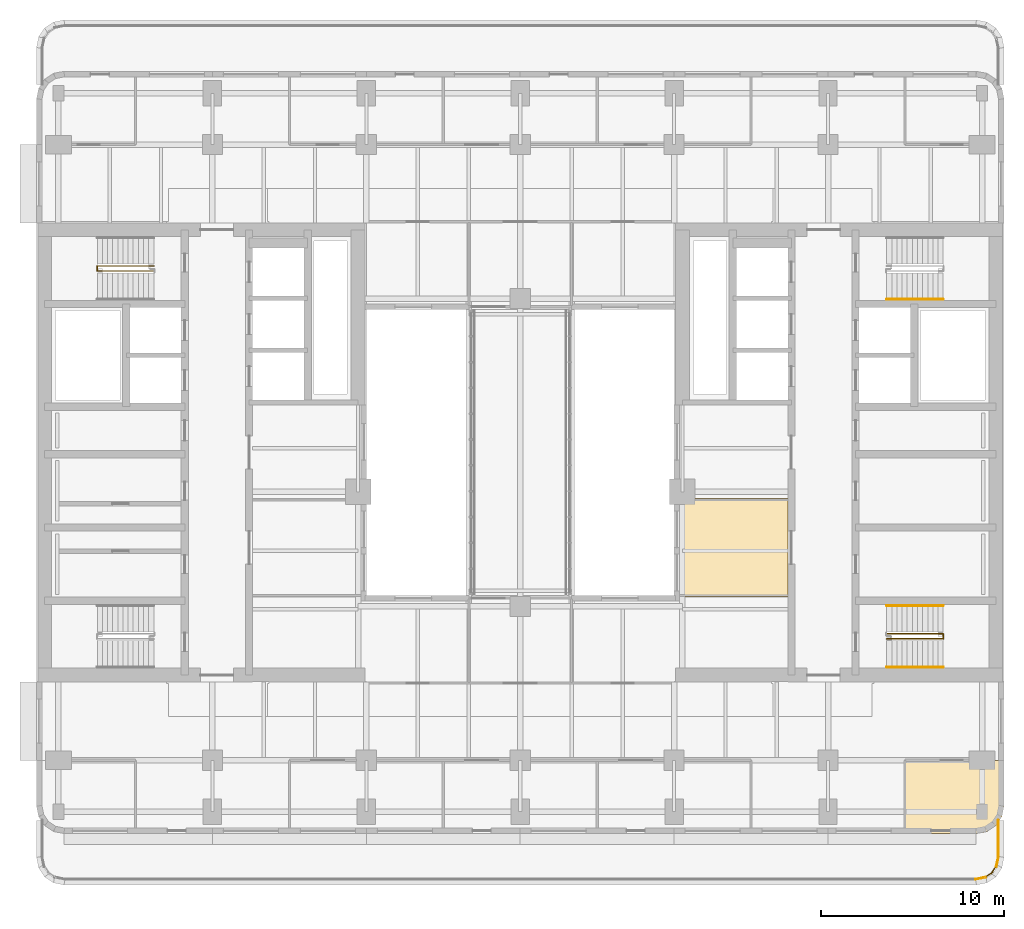
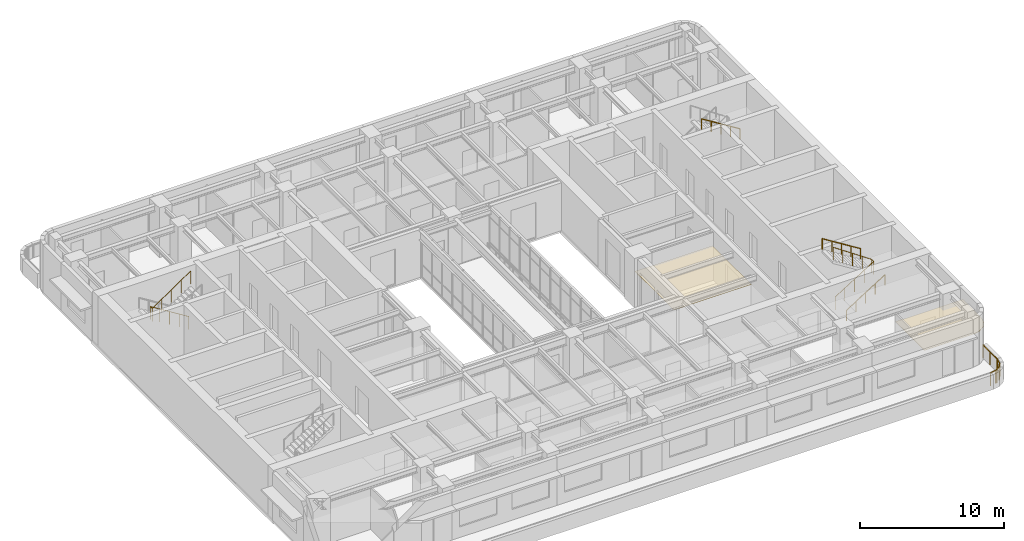
# One storey, part 14 of 15: 10 railings, 2 coverings.
"""IFC4 building model written with IfcOpenShell, lengths in metres."""

from ifc_helpers import new_model, si_unit, direction, frame, origin, origin_2d, place, context, subcontext, project, spatial, polyline, circle, outline, extrude, material, layer, layer_set, type_object, element, save


model = new_model("IFC4")

# Units and contexts
model_context = context("Model", 3, precision=1e-05, world=origin(), true_north=direction((0.0, 1.0)))
body_context = subcontext(model_context, "Body", "Model", "MODEL_VIEW")
ifc_project = project(units=[si_unit("LENGTHUNIT", "METRE"), si_unit("AREAUNIT", "SQUARE_METRE"), si_unit("VOLUMEUNIT", "CUBIC_METRE"), si_unit("PLANEANGLEUNIT", "RADIAN"), si_unit("MASSUNIT", "GRAM", prefix="KILO")], contexts=[model_context])

# Site, building, storey
site_placement = place(None, origin())
site = spatial("IfcSite", under=ifc_project, at=site_placement, CompositionType="ELEMENT")
building_placement = place(site_placement, origin())
building = spatial("IfcBuilding", under=site, at=building_placement, Name="Claustro Exchange Tower", CompositionType="ELEMENT")
storey_placement = place(building_placement, frame((0.0, 0.0, 173.39990234375)))
storey = spatial("IfcBuildingStorey", under=building, at=storey_placement, Name="L39", CompositionType="ELEMENT", Elevation=173.39990234375)

# Coverings
ifc_material_1 = material(Name="Gypsum board ceiling", Category="gypsum board")
ifc_layer = layer(ifc_material_1, 0.02490234375)
ifc_layer_set = layer_set([ifc_layer], Name="Gypsum board ceiling")
covering_type = type_object("IfcCoveringType", Name="CL2 plasterboard ceiling", PredefinedType="CEILING", material=ifc_layer_set)
covering_1_placement = place(storey_placement, frame((0.0, 0.0, 2.800048828125)))
element("IfcCovering", 1, at=covering_1_placement, inside=storey, type_object=covering_type, Name="Ceiling CL2 L39-06", PredefinedType="CEILING", context=body_context, shape_type="SweptSolid", body=[
    extrude(outline(polyline([(51.60009765625, 5.89990234375), (51.60009765625, 8.39990234375), (46.199951171875, 8.39990234375), (46.199951171875, 4.39990234375), (50.10009765625, 4.39990234375), (50.674072265625, 4.51416015625), (51.16064453125, 4.83935546875), (51.48583984375, 5.325927734375), (51.60009765625, 5.89990234375)])), origin(), (0.0, 0.0, 1.0), 0.025146484375),
])
covering_2_placement = place(storey_placement, frame((0.0, 0.0, 2.800048828125)))
element("IfcCovering", 2, at=covering_2_placement, inside=storey, type_object=covering_type, Name="Ceiling CL2 L39-15", PredefinedType="CEILING", context=body_context, shape_type="SweptSolid", body=[
    extrude(outline(polyline([(33.60009765625, 22.695068359375), (33.60009765625, 17.304931640625), (39.800048828125, 17.304931640625), (39.800048828125, 22.695068359375), (33.60009765625, 22.695068359375)])), origin(), (0.0, 0.0, 1.0), 0.025146484375),
])

# Railings
ifc_material_2 = material(Name="Steel balustrade, painted", Category="steel")
railing_type_1 = type_object("IfcRailingType", Name="GR2 1100 steel stair guard", PredefinedType="GUARDRAIL", material=ifc_material_2)
railing_1_placement = place(storey_placement, frame((5.199951171875, 35.375, 0.175048828125)))
element("IfcRailing", 3, at=railing_1_placement, inside=storey, type_object=railing_type_1, Name="Stair well guard GR2 stair STWB L39", PredefinedType="GUARDRAIL", context=body_context, shape_type="SweptSolid", body=[
    extrude(circle(Radius=0.02392578125, at=origin_2d()), frame((0.0, 0.0, 1.076171875), z_axis=(-0.847979421464, 0.0, 0.530029150871), x_axis=(0.0, -1.0, 0.0)), (0.0, 0.0, 1.0), 3.632080078125),
    extrude(circle(Radius=0.02392578125, at=origin_2d()), frame((-3.079833984375, 0.0, 3.0009765625), z_axis=(0.0, -1.0, 0.0), x_axis=(1.0, 0.0, 0.0)), (0.0, 0.0, 1.0), 0.27490234375),
    extrude(circle(Radius=0.02392578125, at=origin_2d()), frame((-3.079833984375, -0.27490234375, 3.0009765625), z_axis=(0.826201015165, 0.0, 0.563375436579), x_axis=(0.0, 1.0, 0.0)), (0.0, 0.0, 1.0), 3.727783203125),
    extrude(circle(Radius=0.02099609375, at=origin_2d()), origin(), (0.0, 0.0, 1.0), 1.052001953125),
    extrude(circle(Radius=0.02099609375, at=origin_2d()), frame((-0.77001953125, 0.0, 0.481201171875)), (0.0, 0.0, 1.0), 1.052001953125),
    extrude(circle(Radius=0.02099609375, at=origin_2d()), frame((-1.5400390625, 0.0, 0.96240234375)), (0.0, 0.0, 1.0), 1.052001953125),
    extrude(circle(Radius=0.02099609375, at=origin_2d()), frame((-2.309814453125, 0.0, 1.44384765625)), (0.0, 0.0, 1.0), 1.052001953125),
    extrude(circle(Radius=0.02099609375, at=origin_2d()), frame((-3.079833984375, 0.0, 1.925048828125)), (0.0, 0.0, 1.0), 1.052001953125),
    extrude(circle(Radius=0.02099609375, at=origin_2d()), frame((-3.079833984375, -0.27490234375, 1.925048828125)), (0.0, 0.0, 1.0), 1.052001953125),
    extrude(circle(Radius=0.02099609375, at=origin_2d()), frame((-2.309814453125, -0.27490234375, 2.4501953125)), (0.0, 0.0, 1.0), 1.052001953125),
    extrude(circle(Radius=0.02099609375, at=origin_2d()), frame((-1.5400390625, -0.27490234375, 2.97509765625)), (0.0, 0.0, 1.0), 1.052001953125),
    extrude(circle(Radius=0.02099609375, at=origin_2d()), frame((-0.77001953125, -0.27490234375, 3.5)), (0.0, 0.0, 1.0), 1.052001953125),
    extrude(circle(Radius=0.02099609375, at=origin_2d()), frame((0.0, -0.27490234375, 4.025146484375)), (0.0, 0.0, 1.0), 1.052001953125),
])
railing_2_placement = place(storey_placement, frame((45.199951171875, 15.02490234375, 0.175048828125)))
element("IfcRailing", 4, at=railing_2_placement, inside=storey, type_object=railing_type_1, Name="Stair well guard GR2 stair STEA L39", PredefinedType="GUARDRAIL", context=body_context, shape_type="SweptSolid", body=[
    extrude(circle(Radius=0.02392578125, at=origin_2d()), frame((0.0, 0.0, 1.076171875), z_axis=(0.847998304005, 0.0, 0.529998940003), x_axis=(0.0, 1.0, 0.0)), (0.0, 0.0, 1.0), 3.632080078125),
    extrude(circle(Radius=0.02392578125, at=origin_2d()), frame((3.080078125, 0.0, 3.0009765625), z_axis=(0.0, 1.0, 0.0), x_axis=(-1.0, 0.0, 0.0)), (0.0, 0.0, 1.0), 0.275146484375),
    extrude(circle(Radius=0.02392578125, at=origin_2d()), frame((3.080078125, 0.275146484375, 3.0009765625), z_axis=(-0.826221800596, 0.0, 0.563344953133), x_axis=(0.0, -1.0, 0.0)), (0.0, 0.0, 1.0), 3.72802734375),
    extrude(circle(Radius=0.02099609375, at=origin_2d()), origin(), (0.0, 0.0, 1.0), 1.052001953125),
    extrude(circle(Radius=0.02099609375, at=origin_2d()), frame((0.77001953125, 0.0, 0.481201171875)), (0.0, 0.0, 1.0), 1.052001953125),
    extrude(circle(Radius=0.02099609375, at=origin_2d()), frame((1.5400390625, 0.0, 0.96240234375)), (0.0, 0.0, 1.0), 1.052001953125),
    extrude(circle(Radius=0.02099609375, at=origin_2d()), frame((2.31005859375, 0.0, 1.44384765625)), (0.0, 0.0, 1.0), 1.052001953125),
    extrude(circle(Radius=0.02099609375, at=origin_2d()), frame((3.080078125, 0.0, 1.925048828125)), (0.0, 0.0, 1.0), 1.052001953125),
    extrude(circle(Radius=0.02099609375, at=origin_2d()), frame((3.080078125, 0.275146484375, 1.925048828125)), (0.0, 0.0, 1.0), 1.052001953125),
    extrude(circle(Radius=0.02099609375, at=origin_2d()), frame((2.31005859375, 0.275146484375, 2.4501953125)), (0.0, 0.0, 1.0), 1.052001953125),
    extrude(circle(Radius=0.02099609375, at=origin_2d()), frame((1.5400390625, 0.275146484375, 2.97509765625)), (0.0, 0.0, 1.0), 1.052001953125),
    extrude(circle(Radius=0.02099609375, at=origin_2d()), frame((0.77001953125, 0.275146484375, 3.5)), (0.0, 0.0, 1.0), 1.052001953125),
    extrude(circle(Radius=0.02099609375, at=origin_2d()), frame((0.0, 0.275146484375, 4.025146484375)), (0.0, 0.0, 1.0), 1.052001953125),
])
ifc_material_3 = material(Name="Stainless steel posts and rail, laminated glass infill", Category="steel")
railing_type_2 = type_object("IfcRailingType", Name="GR3 1100 terrace guard railing", PredefinedType="GUARDRAIL", material=ifc_material_3)
railing_3_placement = place(storey_placement, frame((51.2900390625, 5.123291015625, 0.0)))
element("IfcRailing", 5, at=railing_3_placement, inside=storey, type_object=railing_type_2, Name="Terrace guard GR3 L39", PredefinedType="GUARDRAIL", context=body_context, shape_type="SweptSolid", body=[
    extrude(circle(Radius=0.02392578125, at=origin_2d()), frame((0.0, 0.0, 1.076171875), z_axis=(0.0, -1.0, 0.0), x_axis=(1.0, 0.0, 0.0)), (0.0, 0.0, 1.0), 2.023193359375),
    extrude(circle(Radius=0.02099609375, at=origin_2d()), origin(), (0.0, 0.0, 1.0), 1.052001953125),
    extrude(circle(Radius=0.02099609375, at=origin_2d()), frame((0.0, -1.01171875, 0.0)), (0.0, 0.0, 1.0), 1.052001953125),
    extrude(circle(Radius=0.02099609375, at=origin_2d()), frame((0.0, -2.023193359375, 0.0)), (0.0, 0.0, 1.0), 1.052001953125),
])
railing_4_placement = place(storey_placement, frame((51.2958984375, 3.160400390625, 0.0)))
element("IfcRailing", 6, at=railing_4_placement, inside=storey, type_object=railing_type_2, Name="Terrace guard GR3 L39", PredefinedType="GUARDRAIL", context=body_context, shape_type="SweptSolid", body=[
    extrude(circle(Radius=0.02392578125, at=origin_2d()), frame((0.0, 0.0, 1.076171875), z_axis=(-0.1948322756, -0.980836573739, 0.0), x_axis=(0.980836573739, -0.1948322756, 0.0)), (0.0, 0.0, 1.0), 0.585205078125),
    extrude(circle(Radius=0.02099609375, at=origin_2d()), origin(), (0.0, 0.0, 1.0), 1.052001953125),
    extrude(circle(Radius=0.02099609375, at=origin_2d()), frame((-0.114013671875, -0.573974609375, 0.0)), (0.0, 0.0, 1.0), 1.052001953125),
])
railing_5_placement = place(storey_placement, frame((51.22802734375, 2.6982421875, 0.0)))
element("IfcRailing", 7, at=railing_5_placement, inside=storey, type_object=railing_type_2, Name="Terrace guard GR3 L39", PredefinedType="GUARDRAIL", context=body_context, shape_type="SweptSolid", body=[
    extrude(circle(Radius=0.02392578125, at=origin_2d()), frame((0.0, 0.0, 1.076171875), z_axis=(-0.555181391115, -0.831729296682, 0.0), x_axis=(0.831729296682, -0.555181391115, 0.0)), (0.0, 0.0, 1.0), 0.585205078125),
    extrude(circle(Radius=0.02099609375, at=origin_2d()), origin(), (0.0, 0.0, 1.0), 1.052001953125),
    extrude(circle(Radius=0.02099609375, at=origin_2d()), frame((-0.324951171875, -0.48681640625, 0.0)), (0.0, 0.0, 1.0), 1.052001953125),
])
railing_6_placement = place(storey_placement, frame((50.988525390625, 2.297119140625, 0.0)))
element("IfcRailing", 8, at=railing_6_placement, inside=storey, type_object=railing_type_2, Name="Terrace guard GR3 L39", PredefinedType="GUARDRAIL", context=body_context, shape_type="SweptSolid", body=[
    extrude(circle(Radius=0.02392578125, at=origin_2d()), frame((0.0, 0.0, 1.076171875), z_axis=(-0.831536683512, -0.555469840741, 0.0), x_axis=(0.555469840741, -0.831536683512, 0.0)), (0.0, 0.0, 1.0), 0.58544921875),
    extrude(circle(Radius=0.02099609375, at=origin_2d()), origin(), (0.0, 0.0, 1.0), 1.052001953125),
    extrude(circle(Radius=0.02099609375, at=origin_2d()), frame((-0.48681640625, -0.3251953125, 0.0)), (0.0, 0.0, 1.0), 1.052001953125),
])
railing_7_placement = place(storey_placement, frame((50.613525390625, 2.018310546875, 0.0)))
element("IfcRailing", 9, at=railing_7_placement, inside=storey, type_object=railing_type_2, Name="Terrace guard GR3 L39", PredefinedType="GUARDRAIL", context=body_context, shape_type="SweptSolid", body=[
    extrude(circle(Radius=0.02392578125, at=origin_2d()), frame((0.0, 0.0, 1.076171875), z_axis=(-0.980756771825, -0.195233589627, 0.0), x_axis=(0.195233589627, -0.980756771825, 0.0)), (0.0, 0.0, 1.0), 0.585205078125),
    extrude(circle(Radius=0.02099609375, at=origin_2d()), origin(), (0.0, 0.0, 1.0), 1.052001953125),
    extrude(circle(Radius=0.02099609375, at=origin_2d()), frame((-0.573974609375, -0.1142578125, 0.0)), (0.0, 0.0, 1.0), 1.052001953125),
])
ifc_material_4 = material(Name="Stainless steel tube", Category="steel")
railing_type_3 = type_object("IfcRailingType", Name="HR1 900 stair handrail", PredefinedType="HANDRAIL", material=ifc_material_4)
railing_8_placement = place(storey_placement, frame((45.199951171875, 13.485107421875, 0.175048828125)))
element("IfcRailing", 10, at=railing_8_placement, inside=storey, type_object=railing_type_3, Name="Handrail HR1 stair STEA L39", PredefinedType="HANDRAIL", context=body_context, shape_type="SweptSolid", body=[
    extrude(circle(Radius=0.02392578125, at=origin_2d()), frame((0.0, 0.0, 0.8759765625), z_axis=(0.847998304005, 0.0, 0.529998940003), x_axis=(0.0, 1.0, 0.0)), (0.0, 0.0, 1.0), 3.632080078125),
    extrude(circle(Radius=0.02099609375, at=origin_2d()), origin(), (0.0, 0.0, 1.0), 0.851806640625),
    extrude(circle(Radius=0.02099609375, at=origin_2d()), frame((0.77001953125, 0.0, 0.481201171875)), (0.0, 0.0, 1.0), 0.851806640625),
    extrude(circle(Radius=0.02099609375, at=origin_2d()), frame((1.5400390625, 0.0, 0.96240234375)), (0.0, 0.0, 1.0), 0.851806640625),
    extrude(circle(Radius=0.02099609375, at=origin_2d()), frame((2.31005859375, 0.0, 1.44384765625)), (0.0, 0.0, 1.0), 0.851806640625),
    extrude(circle(Radius=0.02099609375, at=origin_2d()), frame((3.080078125, 0.0, 1.925048828125)), (0.0, 0.0, 1.0), 0.851806640625),
])
for number, where, name in (
    (11, (48.280029296875, 16.840087890625, 2.275146484375), "Handrail HR1 stair STEA L39"),
    (12, (48.280029296875, 33.56005859375, 2.275146484375), "Handrail HR1 stair STEB L39"),
):
    element("IfcRailing", number, at=place(storey_placement, frame(where)), inside=storey, type_object=railing_type_3, Name=name, PredefinedType="HANDRAIL", context=body_context, shape_type="SweptSolid", body=[
        extrude(circle(Radius=0.02392578125, at=origin_2d()), frame((0.0, 0.0, 0.8759765625), z_axis=(-0.847998304005, 0.0, 0.529998940003), x_axis=(0.0, -1.0, 0.0)), (0.0, 0.0, 1.0), 3.632080078125),
        extrude(circle(Radius=0.02099609375, at=origin_2d()), origin(), (0.0, 0.0, 1.0), 0.851806640625),
        extrude(circle(Radius=0.02099609375, at=origin_2d()), frame((-0.77001953125, 0.0, 0.481201171875)), (0.0, 0.0, 1.0), 0.851806640625),
        extrude(circle(Radius=0.02099609375, at=origin_2d()), frame((-1.5400390625, 0.0, 0.96240234375)), (0.0, 0.0, 1.0), 0.851806640625),
        extrude(circle(Radius=0.02099609375, at=origin_2d()), frame((-2.31005859375, 0.0, 1.44384765625)), (0.0, 0.0, 1.0), 0.851806640625),
        extrude(circle(Radius=0.02099609375, at=origin_2d()), frame((-3.080078125, 0.0, 1.925048828125)), (0.0, 0.0, 1.0), 0.851806640625),
    ])

save(model, "model.ifc")
